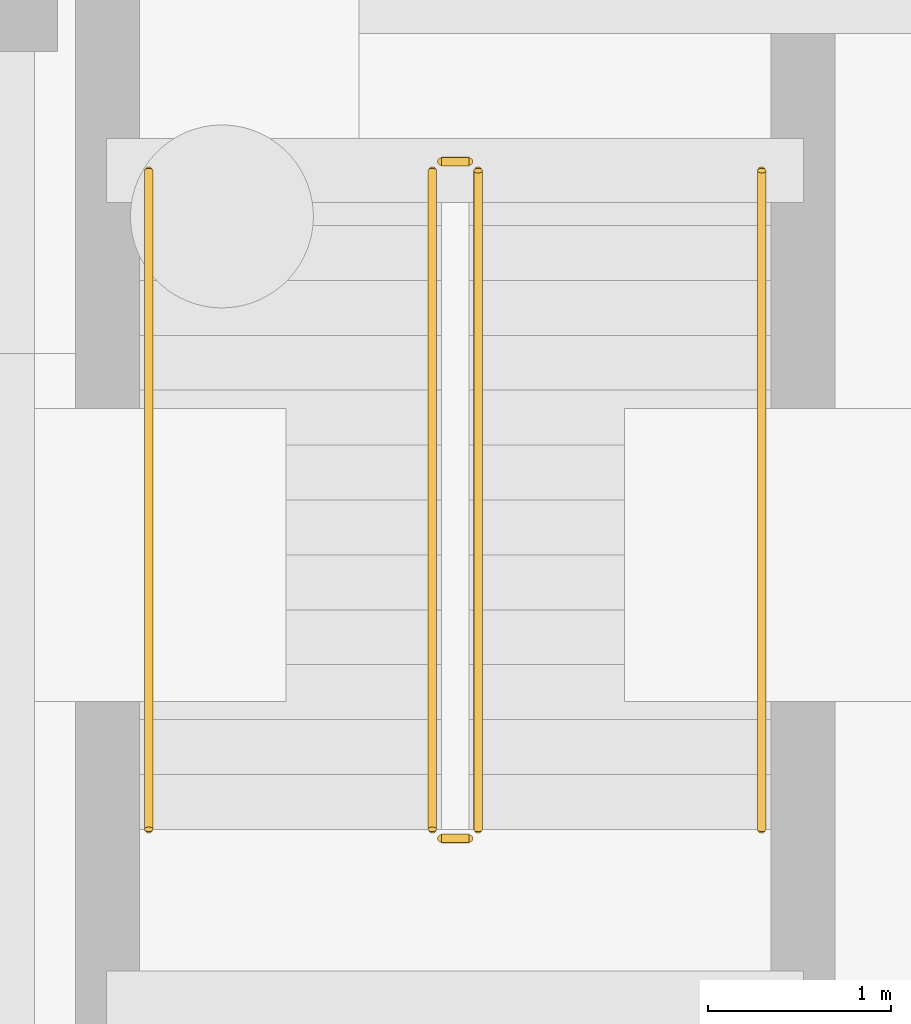
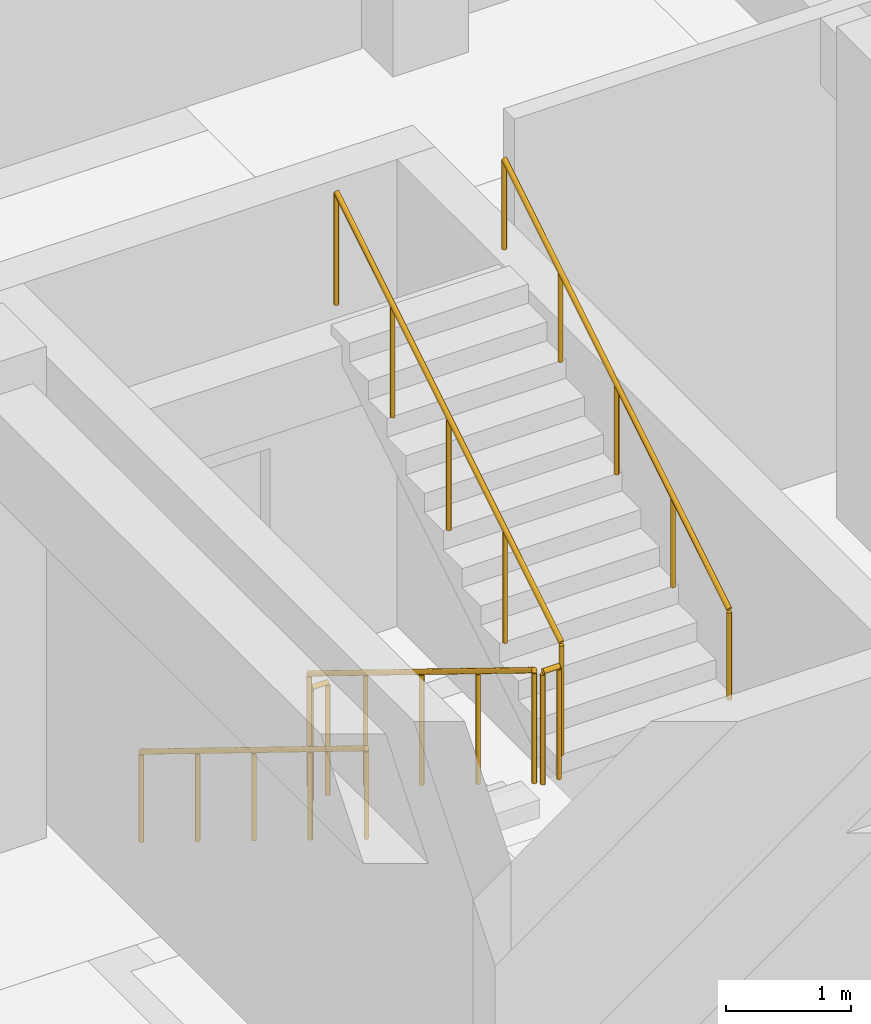
# One storey, part 45 of 46: 6 railings.
"""IFC4 building model written with IfcOpenShell, lengths in metres."""

from ifc_helpers import new_model, si_unit, direction, frame, origin, origin_2d, place, context, subcontext, project, spatial, circle, extrude, material, material_profile, profile_set, type_object, element, save


model = new_model("IFC4")

# Units and contexts
model_context = context("Model", 3, precision=1e-05, world=origin(), true_north=direction((0.0, 1.0)))
body_context = subcontext(model_context, "Body", "Model", "MODEL_VIEW")
ifc_project = project(units=[si_unit("LENGTHUNIT", "METRE"), si_unit("AREAUNIT", "SQUARE_METRE"), si_unit("VOLUMEUNIT", "CUBIC_METRE"), si_unit("PLANEANGLEUNIT", "RADIAN"), si_unit("MASSUNIT", "GRAM", prefix="KILO")], contexts=[model_context])

# Site, building, storey
site_placement = place(None, origin())
site = spatial("IfcSite", under=ifc_project, at=site_placement, CompositionType="ELEMENT")
building_placement = place(site_placement, origin())
building = spatial("IfcBuilding", under=site, at=building_placement, Name="Tazoul Stagehouse", CompositionType="ELEMENT")
storey_placement = place(building_placement, frame((0.0, 0.0, -4.800048828125)))
storey = spatial("IfcBuildingStorey", under=building, at=storey_placement, Name="B1", CompositionType="ELEMENT", Elevation=-4.800048828125)

# Railings
ifc_material = material(Name="Brushed Stainless Steel 316L", Category="steel")
ifc_material_profile_1 = material_profile(ifc_material, circle(Radius=0.02392578125, at=origin_2d()), Name="SS RAIL D48")
ifc_profile_set_1 = profile_set([ifc_material_profile_1], Name="Brushed Stainless Steel 316L")
railing_type_1 = type_object("IfcRailingType", Name="Architectural Guardrail H1120", PredefinedType="GUARDRAIL", material=ifc_profile_set_1)
railing_1_placement = place(storey_placement, frame((136.199951171875, 95.199951171875, 0.1845703125)))
element("IfcRailing", 1, at=railing_1_placement, inside=storey, type_object=railing_type_1, Name="B1 ST-B4 stair guard 1", PredefinedType="GUARDRAIL", context=body_context, shape_type="SweptSolid", body=[
    extrude(circle(Radius=0.02392578125, at=origin_2d()), frame((0.0, 0.0, 1.09619140625), z_axis=(0.0, -0.851628569182, 0.524145762315), x_axis=(1.0, 0.0, 0.0)), (0.0, 0.0, 1.0), 4.22705078125),
    extrude(circle(Radius=0.02099609375, at=origin_2d()), origin(), (0.0, 0.0, 1.0), 1.072021484375),
    extrude(circle(Radius=0.02099609375, at=origin_2d()), frame((0.0, -0.89990234375, 0.553955078125)), (0.0, 0.0, 1.0), 1.072021484375),
    extrude(circle(Radius=0.02099609375, at=origin_2d()), frame((0.0, -1.7998046875, 1.10791015625)), (0.0, 0.0, 1.0), 1.072021484375),
    extrude(circle(Radius=0.02099609375, at=origin_2d()), frame((0.0, -2.699951171875, 1.66162109375)), (0.0, 0.0, 1.0), 1.072021484375),
    extrude(circle(Radius=0.02099609375, at=origin_2d()), frame((0.0, -3.599853515625, 2.215576171875)), (0.0, 0.0, 1.0), 1.072021484375),
])
railing_2_placement = place(storey_placement, frame((136.25, 91.550048828125, 2.400146484375)))
element("IfcRailing", 2, at=railing_2_placement, inside=storey, type_object=railing_type_1, Name="B1 ST-B4 stair guard 2", PredefinedType="GUARDRAIL", context=body_context, shape_type="SweptSolid", body=[
    extrude(circle(Radius=0.02392578125, at=origin_2d()), frame((0.0, 0.0, 1.09619140625), z_axis=(1.0, 0.0, 0.0), x_axis=(0.0, 1.0, 0.0)), (0.0, 0.0, 1.0), 0.14990234375),
    extrude(circle(Radius=0.02099609375, at=origin_2d()), origin(), (0.0, 0.0, 1.0), 1.072021484375),
    extrude(circle(Radius=0.02099609375, at=origin_2d()), frame((0.14990234375, 0.0, 0.0)), (0.0, 0.0, 1.0), 1.072021484375),
])
railing_3_placement = place(storey_placement, frame((136.449951171875, 91.60009765625, 2.584716796875)))
element("IfcRailing", 3, at=railing_3_placement, inside=storey, type_object=railing_type_1, Name="B1 ST-B4 stair guard 3", PredefinedType="GUARDRAIL", context=body_context, shape_type="SweptSolid", body=[
    extrude(circle(Radius=0.02392578125, at=origin_2d()), frame((0.0, 0.0, 1.09619140625), z_axis=(0.0, 0.851654350407, 0.524103870844), x_axis=(-1.0, 0.0, 0.0)), (0.0, 0.0, 1.0), 4.226806640625),
    extrude(circle(Radius=0.02099609375, at=origin_2d()), origin(), (0.0, 0.0, 1.0), 1.072021484375),
    extrude(circle(Radius=0.02099609375, at=origin_2d()), frame((0.0, 0.89990234375, 0.5537109375)), (0.0, 0.0, 1.0), 1.072021484375),
    extrude(circle(Radius=0.02099609375, at=origin_2d()), frame((0.0, 1.7998046875, 1.107666015625)), (0.0, 0.0, 1.0), 1.072021484375),
    extrude(circle(Radius=0.02099609375, at=origin_2d()), frame((0.0, 2.699951171875, 1.66162109375)), (0.0, 0.0, 1.0), 1.072021484375),
    extrude(circle(Radius=0.02099609375, at=origin_2d()), frame((0.0, 3.599853515625, 2.21533203125)), (0.0, 0.0, 1.0), 1.072021484375),
])
railing_4_placement = place(storey_placement, frame((136.25, 95.25, 0.0)))
element("IfcRailing", 4, at=railing_4_placement, inside=storey, type_object=railing_type_1, Name="B1 ST-B4 stair guard 4", PredefinedType="GUARDRAIL", context=body_context, shape_type="SweptSolid", body=[
    extrude(circle(Radius=0.02392578125, at=origin_2d()), frame((0.0, 0.0, 1.09619140625), z_axis=(1.0, 0.0, 0.0), x_axis=(0.0, 1.0, 0.0)), (0.0, 0.0, 1.0), 0.14990234375),
    extrude(circle(Radius=0.02099609375, at=origin_2d()), origin(), (0.0, 0.0, 1.0), 1.072021484375),
    extrude(circle(Radius=0.02099609375, at=origin_2d()), frame((0.14990234375, 0.0, 0.0)), (0.0, 0.0, 1.0), 1.072021484375),
])
ifc_material_profile_2 = material_profile(ifc_material, circle(Radius=0.02099609375, at=origin_2d()), Name="SS HANDRAIL D42")
ifc_profile_set_2 = profile_set([ifc_material_profile_2], Name="Brushed Stainless Steel 316L")
railing_type_2 = type_object("IfcRailingType", Name="Continuous Stair Handrail H900", PredefinedType="HANDRAIL", material=ifc_profile_set_2)
railing_5_placement = place(storey_placement, frame((134.64990234375, 95.199951171875, 0.1845703125)))
element("IfcRailing", 5, at=railing_5_placement, inside=storey, type_object=railing_type_2, Name="B1 ST-B4 stair handrail 1", PredefinedType="HANDRAIL", context=body_context, shape_type="SweptSolid", body=[
    extrude(circle(Radius=0.02392578125, at=origin_2d()), frame((0.0, 0.0, 0.8759765625), z_axis=(0.0, -0.851628569182, 0.524145762315), x_axis=(1.0, 0.0, 0.0)), (0.0, 0.0, 1.0), 4.22705078125),
    extrude(circle(Radius=0.02099609375, at=origin_2d()), origin(), (0.0, 0.0, 1.0), 0.851806640625),
    extrude(circle(Radius=0.02099609375, at=origin_2d()), frame((0.0, -0.89990234375, 0.553955078125)), (0.0, 0.0, 1.0), 0.851806640625),
    extrude(circle(Radius=0.02099609375, at=origin_2d()), frame((0.0, -1.7998046875, 1.10791015625)), (0.0, 0.0, 1.0), 0.851806640625),
    extrude(circle(Radius=0.02099609375, at=origin_2d()), frame((0.0, -2.699951171875, 1.66162109375)), (0.0, 0.0, 1.0), 0.851806640625),
    extrude(circle(Radius=0.02099609375, at=origin_2d()), frame((0.0, -3.599853515625, 2.215576171875)), (0.0, 0.0, 1.0), 0.851806640625),
])
railing_6_placement = place(storey_placement, frame((138.0, 91.60009765625, 2.584716796875)))
element("IfcRailing", 6, at=railing_6_placement, inside=storey, type_object=railing_type_2, Name="B1 ST-B4 stair handrail 2", PredefinedType="HANDRAIL", context=body_context, shape_type="SweptSolid", body=[
    extrude(circle(Radius=0.02392578125, at=origin_2d()), frame((0.0, 0.0, 0.8759765625), z_axis=(0.0, 0.851654350407, 0.524103870844), x_axis=(-1.0, 0.0, 0.0)), (0.0, 0.0, 1.0), 4.226806640625),
    extrude(circle(Radius=0.02099609375, at=origin_2d()), origin(), (0.0, 0.0, 1.0), 0.851806640625),
    extrude(circle(Radius=0.02099609375, at=origin_2d()), frame((0.0, 0.89990234375, 0.5537109375)), (0.0, 0.0, 1.0), 0.851806640625),
    extrude(circle(Radius=0.02099609375, at=origin_2d()), frame((0.0, 1.7998046875, 1.107666015625)), (0.0, 0.0, 1.0), 0.851806640625),
    extrude(circle(Radius=0.02099609375, at=origin_2d()), frame((0.0, 2.699951171875, 1.66162109375)), (0.0, 0.0, 1.0), 0.851806640625),
    extrude(circle(Radius=0.02099609375, at=origin_2d()), frame((0.0, 3.599853515625, 2.21533203125)), (0.0, 0.0, 1.0), 0.851806640625),
])

save(model, "model.ifc")
